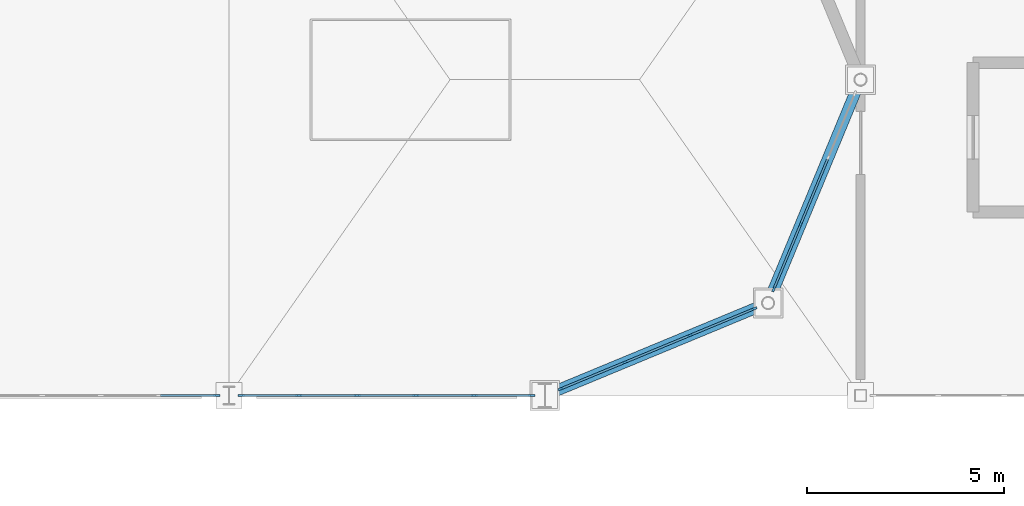
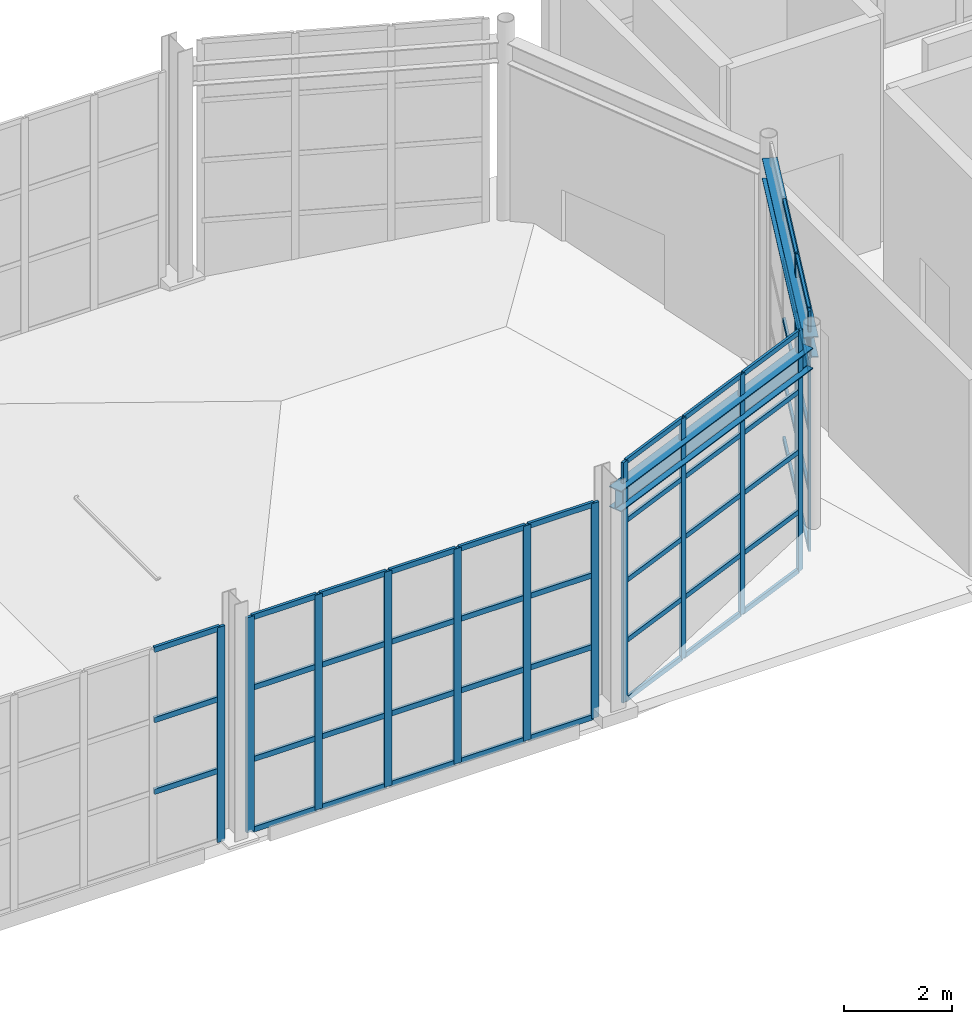
# One storey, part 42 of 82: 61 members, 2 beams, 4 elements without a shape of their own.
"""IFC4 building model written with IfcOpenShell, lengths in metres."""

from ifc_helpers import new_model, si_unit, direction, frame, origin, origin_2d, place, context, subcontext, project, spatial, rectangle, i_section, extrude, material, material_profile, profile_set, type_object, element, aggregate, save


model = new_model("IFC4")

# Units and contexts
model_context = context("Model", 3, precision=1e-05, world=origin(), true_north=direction((0.0, 1.0)))
body_context = subcontext(model_context, "Body", "Model", "MODEL_VIEW")
ifc_project = project(units=[si_unit("LENGTHUNIT", "METRE"), si_unit("AREAUNIT", "SQUARE_METRE"), si_unit("VOLUMEUNIT", "CUBIC_METRE"), si_unit("PLANEANGLEUNIT", "RADIAN"), si_unit("MASSUNIT", "GRAM", prefix="KILO")], contexts=[model_context])

# Site, building, storey
site_placement = place(None, origin())
site = spatial("IfcSite", under=ifc_project, at=site_placement, CompositionType="ELEMENT")
building_placement = place(site_placement, origin())
building = spatial("IfcBuilding", under=site, at=building_placement, Name="Serraluz Foothill Cableway Terminal", CompositionType="ELEMENT")
storey_placement = place(building_placement, frame((0.0, 0.0, 9.60009765625)))
storey = spatial("IfcBuildingStorey", under=building, at=storey_placement, Name="L02", CompositionType="ELEMENT", Elevation=9.60009765625)

# Curtain wall, members
ifc_material_1 = material(Name="Architectural bronze alloy C28000", Category="aluminium")
curtain_wall_type_1 = type_object("IfcCurtainWallType", Name="TYP-CW-440X360", PredefinedType="NOTDEFINED", material=ifc_material_1)
curtain_wall_1_placement = place(storey_placement, origin())
curtain_wall_1 = element("IfcCurtainWall", 1, at=curtain_wall_1_placement, inside=storey, type_object=curtain_wall_type_1, Name="Ribbed Glazed Curtain Wall CW-V1-E-L02-3", PredefinedType="NOTDEFINED")
ifc_material_2 = material(Name="Extruded aluminium 6063-T6", Category="aluminium")
ifc_material_profile_1 = material_profile(ifc_material_2, rectangle(XDim=0.054931640625, YDim=0.139892578125, at=origin_2d()), Name="ALU MULLION 55x140")
ifc_profile_set_1 = profile_set([ifc_material_profile_1], Name="Extruded aluminium 6063-T6")
member_type_1 = type_object("IfcMemberType", Name="TYP-CW-MUL-55X140", PredefinedType="MULLION", material=ifc_profile_set_1)
member_1_placement = place(storey_placement, frame((158.482666015625, 60.3369140625, 0.0), z_axis=(0.0, 0.0, 1.0), x_axis=(0.923878982655, -0.382684759834, 0.0)))
member_1 = element("IfcMember", 2, at=member_1_placement, type_object=member_type_1, Name="CW-16 mullion 3", PredefinedType="MULLION", context=body_context, shape_type="SweptSolid", body=[
    extrude(rectangle(XDim=0.054931640625, YDim=0.139892578125, at=origin_2d()), origin(), (0.0, 0.0, 1.0), 5.419921875),
])
member_2_placement = place(storey_placement, frame((157.802001953125, 58.693359375, 0.0), z_axis=(0.0, 0.0, 1.0), x_axis=(0.923878982655, -0.382684759834, 0.0)))
member_2 = element("IfcMember", 3, at=member_2_placement, type_object=member_type_1, Name="CW-16 mullion 4", PredefinedType="MULLION", context=body_context, shape_type="SweptSolid", body=[
    extrude(rectangle(XDim=0.054931640625, YDim=0.139892578125, at=origin_2d()), origin(), (0.0, 0.0, 1.0), 5.419921875),
])

curtain_wall_type_2 = type_object("IfcCurtainWallType", Name="TYP-CW-380X420", PredefinedType="NOTDEFINED", material=ifc_material_1)
curtain_wall_2_placement = place(storey_placement, origin())
curtain_wall_2 = element("IfcCurtainWall", 4, at=curtain_wall_2_placement, inside=storey, type_object=curtain_wall_type_2, Name="Ribbed Glazed Curtain Wall CW-V1-E-L02-4", PredefinedType="NOTDEFINED")
member_3_placement = place(storey_placement, frame((157.306640625, 58.197998046875, 0.0), z_axis=(0.0, 0.0, 1.0), x_axis=(0.382681674752, -0.923880260537, 0.0)))
member_3 = element("IfcMember", 5, at=member_3_placement, type_object=member_type_1, Name="CW-17 mullion 1", PredefinedType="MULLION", context=body_context, shape_type="SweptSolid", body=[
    extrude(rectangle(XDim=0.054931640625, YDim=0.139892578125, at=origin_2d()), origin(), (0.0, 0.0, 1.0), 5.419921875),
])
member_4_placement = place(storey_placement, frame((155.680419921875, 57.5244140625, 0.0), z_axis=(0.0, 0.0, 1.0), x_axis=(0.382681674752, -0.923880260537, 0.0)))
member_4 = element("IfcMember", 6, at=member_4_placement, type_object=member_type_1, Name="CW-17 mullion 2", PredefinedType="MULLION", context=body_context, shape_type="SweptSolid", body=[
    extrude(rectangle(XDim=0.054931640625, YDim=0.139892578125, at=origin_2d()), origin(), (0.0, 0.0, 1.0), 5.419921875),
])
member_5_placement = place(storey_placement, frame((154.028564453125, 56.84033203125, 0.0), z_axis=(0.0, 0.0, 1.0), x_axis=(0.382681674752, -0.923880260537, 0.0)))
member_5 = element("IfcMember", 7, at=member_5_placement, type_object=member_type_1, Name="CW-17 mullion 3", PredefinedType="MULLION", context=body_context, shape_type="SweptSolid", body=[
    extrude(rectangle(XDim=0.054931640625, YDim=0.139892578125, at=origin_2d()), origin(), (0.0, 0.0, 1.0), 5.419921875),
])
member_6_placement = place(storey_placement, frame((152.40234375, 56.16650390625, 0.0), z_axis=(0.0, 0.0, 1.0), x_axis=(0.382681674752, -0.923880260537, 0.0)))
member_6 = element("IfcMember", 8, at=member_6_placement, type_object=member_type_1, Name="CW-17 mullion 4", PredefinedType="MULLION", context=body_context, shape_type="SweptSolid", body=[
    extrude(rectangle(XDim=0.054931640625, YDim=0.139892578125, at=origin_2d()), origin(), (0.0, 0.0, 1.0), 5.419921875),
])

# Curtain wall, member
curtain_wall_type_3 = type_object("IfcCurtainWallType", Name="TYP-CW-360X380", PredefinedType="NOTDEFINED", material=ifc_material_1)
curtain_wall_3_placement = place(storey_placement, origin())
curtain_wall_3 = element("IfcCurtainWall", 9, at=curtain_wall_3_placement, inside=storey, type_object=curtain_wall_type_3, Name="Ribbed Glazed Curtain Wall CW-V1S-L02-136", PredefinedType="NOTDEFINED")
ifc_material_profile_2 = material_profile(ifc_material_1, rectangle(XDim=0.06005859375, YDim=0.159912109375, at=origin_2d()), Name="ALU MULLION 60x160")
ifc_profile_set_2 = profile_set([ifc_material_profile_2], Name="Architectural bronze alloy C28000")
member_type_2 = type_object("IfcMemberType", Name="TYP-CW-MUL-60X160", PredefinedType="MULLION", material=ifc_profile_set_2)
member_7_placement = place(storey_placement, frame((143.6884765625, 56.0, 0.0), z_axis=(0.0, 0.0, 1.0), x_axis=(0.0, -1.0, 0.0)))
member_7 = element("IfcMember", 10, at=member_7_placement, type_object=member_type_2, Name="CW-18 mullion 1", PredefinedType="MULLION", context=body_context, shape_type="SweptSolid", body=[
    extrude(rectangle(XDim=0.06005859375, YDim=0.159912109375, at=origin_2d()), origin(), (0.0, 0.0, 1.0), 4.849853515625),
])

# Curtain wall, members
curtain_wall_type_4 = type_object("IfcCurtainWallType", Name="TYP-CW-880X420", PredefinedType="NOTDEFINED", material=ifc_material_1)
curtain_wall_4_placement = place(storey_placement, origin())
curtain_wall_4 = element("IfcCurtainWall", 11, at=curtain_wall_4_placement, inside=storey, type_object=curtain_wall_type_4, Name="Ribbed Glazed Curtain Wall CW-V1S-L02-144", PredefinedType="NOTDEFINED")
member_8_placement = place(storey_placement, frame((151.66748046875, 56.0, 0.0), z_axis=(0.0, 0.0, 1.0), x_axis=(0.0, -1.0, 0.0)))
member_8 = element("IfcMember", 12, at=member_8_placement, type_object=member_type_2, Name="CW-19 mullion 1", PredefinedType="MULLION", context=body_context, shape_type="SweptSolid", body=[
    extrude(rectangle(XDim=0.06005859375, YDim=0.159912109375, at=origin_2d()), origin(), (0.0, 0.0, 1.0), 4.849853515625),
])
member_9_placement = place(storey_placement, frame((150.21435546875, 56.0, 0.0), z_axis=(0.0, 0.0, 1.0), x_axis=(0.0, -1.0, 0.0)))
member_9 = element("IfcMember", 13, at=member_9_placement, type_object=member_type_2, Name="CW-19 mullion 2", PredefinedType="MULLION", context=body_context, shape_type="SweptSolid", body=[
    extrude(rectangle(XDim=0.06005859375, YDim=0.159912109375, at=origin_2d()), origin(), (0.0, 0.0, 1.0), 4.849853515625),
])
member_10_placement = place(storey_placement, frame((148.731201171875, 56.0, 0.0), z_axis=(0.0, 0.0, 1.0), x_axis=(0.0, -1.0, 0.0)))
member_10 = element("IfcMember", 14, at=member_10_placement, type_object=member_type_2, Name="CW-19 mullion 3", PredefinedType="MULLION", context=body_context, shape_type="SweptSolid", body=[
    extrude(rectangle(XDim=0.06005859375, YDim=0.159912109375, at=origin_2d()), origin(), (0.0, 0.0, 1.0), 4.849853515625),
])
member_11_placement = place(storey_placement, frame((147.247802734375, 56.0, 0.0), z_axis=(0.0, 0.0, 1.0), x_axis=(0.0, -1.0, 0.0)))
member_11 = element("IfcMember", 15, at=member_11_placement, type_object=member_type_2, Name="CW-19 mullion 4", PredefinedType="MULLION", context=body_context, shape_type="SweptSolid", body=[
    extrude(rectangle(XDim=0.06005859375, YDim=0.159912109375, at=origin_2d()), origin(), (0.0, 0.0, 1.0), 4.849853515625),
])
member_12_placement = place(storey_placement, frame((145.7646484375, 56.0, 0.0), z_axis=(0.0, 0.0, 1.0), x_axis=(0.0, -1.0, 0.0)))
member_12 = element("IfcMember", 16, at=member_12_placement, type_object=member_type_2, Name="CW-19 mullion 5", PredefinedType="MULLION", context=body_context, shape_type="SweptSolid", body=[
    extrude(rectangle(XDim=0.06005859375, YDim=0.159912109375, at=origin_2d()), origin(), (0.0, 0.0, 1.0), 4.849853515625),
])
member_13_placement = place(storey_placement, frame((144.3115234375, 56.0, 0.0), z_axis=(0.0, 0.0, 1.0), x_axis=(0.0, -1.0, 0.0)))
member_13 = element("IfcMember", 17, at=member_13_placement, type_object=member_type_2, Name="CW-19 mullion 6", PredefinedType="MULLION", context=body_context, shape_type="SweptSolid", body=[
    extrude(rectangle(XDim=0.06005859375, YDim=0.159912109375, at=origin_2d()), origin(), (0.0, 0.0, 1.0), 4.849853515625),
])

# Member
ifc_material_profile_3 = material_profile(ifc_material_2, rectangle(XDim=0.054931640625, YDim=0.110107421875, at=origin_2d()), Name="ALU TRANSOM 55x110")
ifc_profile_set_3 = profile_set([ifc_material_profile_3], Name="Extruded aluminium 6063-T6")
member_type_3 = type_object("IfcMemberType", Name="TYP-CW-TRN-55X110", PredefinedType="USERDEFINED", material=ifc_profile_set_3)
member_14_placement = place(storey_placement, frame((159.16357421875, 61.980712890625, 0.02734375), z_axis=(-0.382585676577, -0.923920018226, 0.0), x_axis=(0.923920018226, -0.382585676577, 0.0)))
member_14 = element("IfcMember", 18, at=member_14_placement, type_object=member_type_3, Name="CW-16 transom 2.1", ObjectType="TRANSOM", PredefinedType="USERDEFINED", context=body_context, shape_type="SweptSolid", body=[
    extrude(rectangle(XDim=0.054931640625, YDim=0.110107421875, at=origin_2d()), origin(), (0.0, 0.0, 1.0), 1.751708984375),
])

member_15_placement = place(storey_placement, frame((159.16357421875, 61.980712890625, 1.35498046875), z_axis=(-0.382585676577, -0.923920018226, 0.0), x_axis=(0.923920018226, -0.382585676577, 0.0)))
member_15 = element("IfcMember", 19, at=member_15_placement, type_object=member_type_3, Name="CW-16 transom 2.2", ObjectType="TRANSOM", PredefinedType="USERDEFINED", context=body_context, shape_type="SweptSolid", body=[
    extrude(rectangle(XDim=0.054931640625, YDim=0.110107421875, at=origin_2d()), origin(), (0.0, 0.0, 1.0), 1.751708984375),
])

member_16_placement = place(storey_placement, frame((159.16357421875, 61.980712890625, 2.7099609375), z_axis=(-0.382585676577, -0.923920018226, 0.0), x_axis=(0.923920018226, -0.382585676577, 0.0)))
member_16 = element("IfcMember", 20, at=member_16_placement, type_object=member_type_3, Name="CW-16 transom 2.3", ObjectType="TRANSOM", PredefinedType="USERDEFINED", context=body_context, shape_type="SweptSolid", body=[
    extrude(rectangle(XDim=0.054931640625, YDim=0.110107421875, at=origin_2d()), origin(), (0.0, 0.0, 1.0), 1.751708984375),
])

member_17_placement = place(storey_placement, frame((159.16357421875, 61.980712890625, 4.06494140625), z_axis=(-0.382585676577, -0.923920018226, 0.0), x_axis=(0.923920018226, -0.382585676577, 0.0)))
member_17 = element("IfcMember", 21, at=member_17_placement, type_object=member_type_3, Name="CW-16 transom 2.4", ObjectType="TRANSOM", PredefinedType="USERDEFINED", context=body_context, shape_type="SweptSolid", body=[
    extrude(rectangle(XDim=0.054931640625, YDim=0.110107421875, at=origin_2d()), origin(), (0.0, 0.0, 1.0), 1.751708984375),
])

member_18_placement = place(storey_placement, frame((159.16357421875, 61.980712890625, 5.392333984375), z_axis=(-0.382585676577, -0.923920018226, 0.0), x_axis=(0.923920018226, -0.382585676577, 0.0)))
member_18 = element("IfcMember", 22, at=member_18_placement, type_object=member_type_3, Name="CW-16 transom 2.5", ObjectType="TRANSOM", PredefinedType="USERDEFINED", context=body_context, shape_type="SweptSolid", body=[
    extrude(rectangle(XDim=0.054931640625, YDim=0.110107421875, at=origin_2d()), origin(), (0.0, 0.0, 1.0), 1.751708984375),
])

member_19_placement = place(storey_placement, frame((158.47216796875, 60.3115234375, 0.02734375), z_axis=(-0.382643629872, -0.923896018239, 0.0), x_axis=(0.923896018239, -0.382643629872, 0.0)))
member_19 = element("IfcMember", 23, at=member_19_placement, type_object=member_type_3, Name="CW-16 transom 3.1", ObjectType="TRANSOM", PredefinedType="USERDEFINED", context=body_context, shape_type="SweptSolid", body=[
    extrude(rectangle(XDim=0.054931640625, YDim=0.110107421875, at=origin_2d()), origin(), (0.0, 0.0, 1.0), 1.723876953125),
])

member_20_placement = place(storey_placement, frame((158.47216796875, 60.3115234375, 1.35498046875), z_axis=(-0.382643629872, -0.923896018239, 0.0), x_axis=(0.923896018239, -0.382643629872, 0.0)))
member_20 = element("IfcMember", 24, at=member_20_placement, type_object=member_type_3, Name="CW-16 transom 3.2", ObjectType="TRANSOM", PredefinedType="USERDEFINED", context=body_context, shape_type="SweptSolid", body=[
    extrude(rectangle(XDim=0.054931640625, YDim=0.110107421875, at=origin_2d()), origin(), (0.0, 0.0, 1.0), 1.723876953125),
])

member_21_placement = place(storey_placement, frame((158.47216796875, 60.3115234375, 2.7099609375), z_axis=(-0.382643629872, -0.923896018239, 0.0), x_axis=(0.923896018239, -0.382643629872, 0.0)))
member_21 = element("IfcMember", 25, at=member_21_placement, type_object=member_type_3, Name="CW-16 transom 3.3", ObjectType="TRANSOM", PredefinedType="USERDEFINED", context=body_context, shape_type="SweptSolid", body=[
    extrude(rectangle(XDim=0.054931640625, YDim=0.110107421875, at=origin_2d()), origin(), (0.0, 0.0, 1.0), 1.723876953125),
])

member_22_placement = place(storey_placement, frame((158.47216796875, 60.3115234375, 4.06494140625), z_axis=(-0.382643629872, -0.923896018239, 0.0), x_axis=(0.923896018239, -0.382643629872, 0.0)))
member_22 = element("IfcMember", 26, at=member_22_placement, type_object=member_type_3, Name="CW-16 transom 3.4", ObjectType="TRANSOM", PredefinedType="USERDEFINED", context=body_context, shape_type="SweptSolid", body=[
    extrude(rectangle(XDim=0.054931640625, YDim=0.110107421875, at=origin_2d()), origin(), (0.0, 0.0, 1.0), 1.723876953125),
])

member_23_placement = place(storey_placement, frame((158.47216796875, 60.3115234375, 5.392333984375), z_axis=(-0.382643629872, -0.923896018239, 0.0), x_axis=(0.923896018239, -0.382643629872, 0.0)))
member_23 = element("IfcMember", 27, at=member_23_placement, type_object=member_type_3, Name="CW-16 transom 3.5", ObjectType="TRANSOM", PredefinedType="USERDEFINED", context=body_context, shape_type="SweptSolid", body=[
    extrude(rectangle(XDim=0.054931640625, YDim=0.110107421875, at=origin_2d()), origin(), (0.0, 0.0, 1.0), 1.723876953125),
])

aggregate(curtain_wall_1, [member_1, member_2, member_14, member_15, member_16, member_17, member_18, member_19, member_20, member_21, member_22, member_23])

member_24_placement = place(storey_placement, frame((157.28125, 58.1875, 0.02734375), z_axis=(-0.923875488976, -0.382693194178, 0.0), x_axis=(0.382693194178, -0.923875488976, 0.0)))
member_24 = element("IfcMember", 28, at=member_24_placement, type_object=member_type_3, Name="CW-17 transom 1.1", ObjectType="TRANSOM", PredefinedType="USERDEFINED", context=body_context, shape_type="SweptSolid", body=[
    extrude(rectangle(XDim=0.054931640625, YDim=0.110107421875, at=origin_2d()), origin(), (0.0, 0.0, 1.0), 1.705322265625),
])

member_25_placement = place(storey_placement, frame((157.28125, 58.1875, 1.35498046875), z_axis=(-0.923875488976, -0.382693194178, 0.0), x_axis=(0.382693194178, -0.923875488976, 0.0)))
member_25 = element("IfcMember", 29, at=member_25_placement, type_object=member_type_3, Name="CW-17 transom 1.2", ObjectType="TRANSOM", PredefinedType="USERDEFINED", context=body_context, shape_type="SweptSolid", body=[
    extrude(rectangle(XDim=0.054931640625, YDim=0.110107421875, at=origin_2d()), origin(), (0.0, 0.0, 1.0), 1.705322265625),
])

member_26_placement = place(storey_placement, frame((157.28125, 58.1875, 2.7099609375), z_axis=(-0.923875488976, -0.382693194178, 0.0), x_axis=(0.382693194178, -0.923875488976, 0.0)))
member_26 = element("IfcMember", 30, at=member_26_placement, type_object=member_type_3, Name="CW-17 transom 1.3", ObjectType="TRANSOM", PredefinedType="USERDEFINED", context=body_context, shape_type="SweptSolid", body=[
    extrude(rectangle(XDim=0.054931640625, YDim=0.110107421875, at=origin_2d()), origin(), (0.0, 0.0, 1.0), 1.705322265625),
])

member_27_placement = place(storey_placement, frame((157.28125, 58.1875, 4.06494140625), z_axis=(-0.923875488976, -0.382693194178, 0.0), x_axis=(0.382693194178, -0.923875488976, 0.0)))
member_27 = element("IfcMember", 31, at=member_27_placement, type_object=member_type_3, Name="CW-17 transom 1.4", ObjectType="TRANSOM", PredefinedType="USERDEFINED", context=body_context, shape_type="SweptSolid", body=[
    extrude(rectangle(XDim=0.054931640625, YDim=0.110107421875, at=origin_2d()), origin(), (0.0, 0.0, 1.0), 1.705322265625),
])

member_28_placement = place(storey_placement, frame((157.28125, 58.1875, 5.392333984375), z_axis=(-0.923875488976, -0.382693194178, 0.0), x_axis=(0.382693194178, -0.923875488976, 0.0)))
member_28 = element("IfcMember", 32, at=member_28_placement, type_object=member_type_3, Name="CW-17 transom 1.5", ObjectType="TRANSOM", PredefinedType="USERDEFINED", context=body_context, shape_type="SweptSolid", body=[
    extrude(rectangle(XDim=0.054931640625, YDim=0.110107421875, at=origin_2d()), origin(), (0.0, 0.0, 1.0), 1.705322265625),
])

member_29_placement = place(storey_placement, frame((155.655029296875, 57.513916015625, 0.02734375), z_axis=(-0.923900079523, -0.382633823724, 0.0), x_axis=(0.382633823724, -0.923900079523, 0.0)))
member_29 = element("IfcMember", 33, at=member_29_placement, type_object=member_type_3, Name="CW-17 transom 2.1", ObjectType="TRANSOM", PredefinedType="USERDEFINED", context=body_context, shape_type="SweptSolid", body=[
    extrude(rectangle(XDim=0.054931640625, YDim=0.110107421875, at=origin_2d()), origin(), (0.0, 0.0, 1.0), 1.73291015625),
])

member_30_placement = place(storey_placement, frame((155.655029296875, 57.513916015625, 1.35498046875), z_axis=(-0.923900079523, -0.382633823724, 0.0), x_axis=(0.382633823724, -0.923900079523, 0.0)))
member_30 = element("IfcMember", 34, at=member_30_placement, type_object=member_type_3, Name="CW-17 transom 2.2", ObjectType="TRANSOM", PredefinedType="USERDEFINED", context=body_context, shape_type="SweptSolid", body=[
    extrude(rectangle(XDim=0.054931640625, YDim=0.110107421875, at=origin_2d()), origin(), (0.0, 0.0, 1.0), 1.73291015625),
])

member_31_placement = place(storey_placement, frame((155.655029296875, 57.513916015625, 2.7099609375), z_axis=(-0.923900079523, -0.382633823724, 0.0), x_axis=(0.382633823724, -0.923900079523, 0.0)))
member_31 = element("IfcMember", 35, at=member_31_placement, type_object=member_type_3, Name="CW-17 transom 2.3", ObjectType="TRANSOM", PredefinedType="USERDEFINED", context=body_context, shape_type="SweptSolid", body=[
    extrude(rectangle(XDim=0.054931640625, YDim=0.110107421875, at=origin_2d()), origin(), (0.0, 0.0, 1.0), 1.73291015625),
])

member_32_placement = place(storey_placement, frame((155.655029296875, 57.513916015625, 4.06494140625), z_axis=(-0.923900079523, -0.382633823724, 0.0), x_axis=(0.382633823724, -0.923900079523, 0.0)))
member_32 = element("IfcMember", 36, at=member_32_placement, type_object=member_type_3, Name="CW-17 transom 2.4", ObjectType="TRANSOM", PredefinedType="USERDEFINED", context=body_context, shape_type="SweptSolid", body=[
    extrude(rectangle(XDim=0.054931640625, YDim=0.110107421875, at=origin_2d()), origin(), (0.0, 0.0, 1.0), 1.73291015625),
])

member_33_placement = place(storey_placement, frame((155.655029296875, 57.513916015625, 5.392333984375), z_axis=(-0.923900079523, -0.382633823724, 0.0), x_axis=(0.382633823724, -0.923900079523, 0.0)))
member_33 = element("IfcMember", 37, at=member_33_placement, type_object=member_type_3, Name="CW-17 transom 2.5", ObjectType="TRANSOM", PredefinedType="USERDEFINED", context=body_context, shape_type="SweptSolid", body=[
    extrude(rectangle(XDim=0.054931640625, YDim=0.110107421875, at=origin_2d()), origin(), (0.0, 0.0, 1.0), 1.73291015625),
])

member_34_placement = place(storey_placement, frame((154.003173828125, 56.829833984375, 0.02734375), z_axis=(-0.923875488976, -0.382693194178, 0.0), x_axis=(0.382693194178, -0.923875488976, 0.0)))
member_34 = element("IfcMember", 38, at=member_34_placement, type_object=member_type_3, Name="CW-17 transom 3.1", ObjectType="TRANSOM", PredefinedType="USERDEFINED", context=body_context, shape_type="SweptSolid", body=[
    extrude(rectangle(XDim=0.054931640625, YDim=0.110107421875, at=origin_2d()), origin(), (0.0, 0.0, 1.0), 1.705322265625),
])

member_35_placement = place(storey_placement, frame((154.003173828125, 56.829833984375, 1.35498046875), z_axis=(-0.923875488976, -0.382693194178, 0.0), x_axis=(0.382693194178, -0.923875488976, 0.0)))
member_35 = element("IfcMember", 39, at=member_35_placement, type_object=member_type_3, Name="CW-17 transom 3.2", ObjectType="TRANSOM", PredefinedType="USERDEFINED", context=body_context, shape_type="SweptSolid", body=[
    extrude(rectangle(XDim=0.054931640625, YDim=0.110107421875, at=origin_2d()), origin(), (0.0, 0.0, 1.0), 1.705322265625),
])

member_36_placement = place(storey_placement, frame((154.003173828125, 56.829833984375, 2.7099609375), z_axis=(-0.923875488976, -0.382693194178, 0.0), x_axis=(0.382693194178, -0.923875488976, 0.0)))
member_36 = element("IfcMember", 40, at=member_36_placement, type_object=member_type_3, Name="CW-17 transom 3.3", ObjectType="TRANSOM", PredefinedType="USERDEFINED", context=body_context, shape_type="SweptSolid", body=[
    extrude(rectangle(XDim=0.054931640625, YDim=0.110107421875, at=origin_2d()), origin(), (0.0, 0.0, 1.0), 1.705322265625),
])

member_37_placement = place(storey_placement, frame((154.003173828125, 56.829833984375, 4.06494140625), z_axis=(-0.923875488976, -0.382693194178, 0.0), x_axis=(0.382693194178, -0.923875488976, 0.0)))
member_37 = element("IfcMember", 41, at=member_37_placement, type_object=member_type_3, Name="CW-17 transom 3.4", ObjectType="TRANSOM", PredefinedType="USERDEFINED", context=body_context, shape_type="SweptSolid", body=[
    extrude(rectangle(XDim=0.054931640625, YDim=0.110107421875, at=origin_2d()), origin(), (0.0, 0.0, 1.0), 1.705322265625),
])

member_38_placement = place(storey_placement, frame((154.003173828125, 56.829833984375, 5.392333984375), z_axis=(-0.923875488976, -0.382693194178, 0.0), x_axis=(0.382693194178, -0.923875488976, 0.0)))
member_38 = element("IfcMember", 42, at=member_38_placement, type_object=member_type_3, Name="CW-17 transom 3.5", ObjectType="TRANSOM", PredefinedType="USERDEFINED", context=body_context, shape_type="SweptSolid", body=[
    extrude(rectangle(XDim=0.054931640625, YDim=0.110107421875, at=origin_2d()), origin(), (0.0, 0.0, 1.0), 1.705322265625),
])

aggregate(curtain_wall_2, [member_3, member_4, member_5, member_6, member_24, member_25, member_26, member_27, member_28, member_29, member_30, member_31, member_32, member_33, member_34, member_35, member_36, member_37, member_38])

ifc_material_profile_4 = material_profile(ifc_material_1, rectangle(XDim=0.06005859375, YDim=0.1201171875, at=origin_2d()), Name="ALU TRANSOM 60x120")
ifc_profile_set_4 = profile_set([ifc_material_profile_4], Name="Architectural bronze alloy C28000")
member_type_4 = type_object("IfcMemberType", Name="TYP-CW-TRN-60X120", PredefinedType="USERDEFINED", material=ifc_profile_set_4)
member_39_placement = place(storey_placement, frame((143.658447265625, 56.0, 1.61669921875), z_axis=(-1.0, 0.0, 0.0), x_axis=(0.0, -1.0, 0.0)))
member_39 = element("IfcMember", 43, at=member_39_placement, type_object=member_type_4, Name="CW-18 transom 1.2", ObjectType="TRANSOM", PredefinedType="USERDEFINED", context=body_context, shape_type="SweptSolid", body=[
    extrude(rectangle(XDim=0.06005859375, YDim=0.1201171875, at=origin_2d()), origin(), (0.0, 0.0, 1.0), 1.39306640625),
])

member_40_placement = place(storey_placement, frame((143.658447265625, 56.0, 3.233154296875), z_axis=(-1.0, 0.0, 0.0), x_axis=(0.0, -1.0, 0.0)))
member_40 = element("IfcMember", 44, at=member_40_placement, type_object=member_type_4, Name="CW-18 transom 1.3", ObjectType="TRANSOM", PredefinedType="USERDEFINED", context=body_context, shape_type="SweptSolid", body=[
    extrude(rectangle(XDim=0.06005859375, YDim=0.1201171875, at=origin_2d()), origin(), (0.0, 0.0, 1.0), 1.39306640625),
])

member_41_placement = place(storey_placement, frame((143.658447265625, 56.0, 4.81982421875), z_axis=(-1.0, 0.0, 0.0), x_axis=(0.0, -1.0, 0.0)))
member_41 = element("IfcMember", 45, at=member_41_placement, type_object=member_type_4, Name="CW-18 transom 1.4", ObjectType="TRANSOM", PredefinedType="USERDEFINED", context=body_context, shape_type="SweptSolid", body=[
    extrude(rectangle(XDim=0.06005859375, YDim=0.1201171875, at=origin_2d()), origin(), (0.0, 0.0, 1.0), 1.39306640625),
])

aggregate(curtain_wall_3, [member_7, member_39, member_40, member_41])

member_42_placement = place(storey_placement, frame((151.637451171875, 56.0, 0.02978515625), z_axis=(-1.0, 0.0, 0.0), x_axis=(0.0, -1.0, 0.0)))
member_42 = element("IfcMember", 46, at=member_42_placement, type_object=member_type_4, Name="CW-19 transom 1.1", ObjectType="TRANSOM", PredefinedType="USERDEFINED", context=body_context, shape_type="SweptSolid", body=[
    extrude(rectangle(XDim=0.06005859375, YDim=0.1201171875, at=origin_2d()), origin(), (0.0, 0.0, 1.0), 1.39306640625),
])

member_43_placement = place(storey_placement, frame((151.637451171875, 56.0, 1.61669921875), z_axis=(-1.0, 0.0, 0.0), x_axis=(0.0, -1.0, 0.0)))
member_43 = element("IfcMember", 47, at=member_43_placement, type_object=member_type_4, Name="CW-19 transom 1.2", ObjectType="TRANSOM", PredefinedType="USERDEFINED", context=body_context, shape_type="SweptSolid", body=[
    extrude(rectangle(XDim=0.06005859375, YDim=0.1201171875, at=origin_2d()), origin(), (0.0, 0.0, 1.0), 1.39306640625),
])

member_44_placement = place(storey_placement, frame((151.637451171875, 56.0, 3.233154296875), z_axis=(-1.0, 0.0, 0.0), x_axis=(0.0, -1.0, 0.0)))
member_44 = element("IfcMember", 48, at=member_44_placement, type_object=member_type_4, Name="CW-19 transom 1.3", ObjectType="TRANSOM", PredefinedType="USERDEFINED", context=body_context, shape_type="SweptSolid", body=[
    extrude(rectangle(XDim=0.06005859375, YDim=0.1201171875, at=origin_2d()), origin(), (0.0, 0.0, 1.0), 1.39306640625),
])

member_45_placement = place(storey_placement, frame((151.637451171875, 56.0, 4.81982421875), z_axis=(-1.0, 0.0, 0.0), x_axis=(0.0, -1.0, 0.0)))
member_45 = element("IfcMember", 49, at=member_45_placement, type_object=member_type_4, Name="CW-19 transom 1.4", ObjectType="TRANSOM", PredefinedType="USERDEFINED", context=body_context, shape_type="SweptSolid", body=[
    extrude(rectangle(XDim=0.06005859375, YDim=0.1201171875, at=origin_2d()), origin(), (0.0, 0.0, 1.0), 1.39306640625),
])

member_46_placement = place(storey_placement, frame((150.184326171875, 56.0, 0.02978515625), z_axis=(-1.0, 0.0, 0.0), x_axis=(0.0, -1.0, 0.0)))
member_46 = element("IfcMember", 50, at=member_46_placement, type_object=member_type_4, Name="CW-19 transom 2.1", ObjectType="TRANSOM", PredefinedType="USERDEFINED", context=body_context, shape_type="SweptSolid", body=[
    extrude(rectangle(XDim=0.06005859375, YDim=0.1201171875, at=origin_2d()), origin(), (0.0, 0.0, 1.0), 1.42333984375),
])

member_47_placement = place(storey_placement, frame((150.184326171875, 56.0, 1.61669921875), z_axis=(-1.0, 0.0, 0.0), x_axis=(0.0, -1.0, 0.0)))
member_47 = element("IfcMember", 51, at=member_47_placement, type_object=member_type_4, Name="CW-19 transom 2.2", ObjectType="TRANSOM", PredefinedType="USERDEFINED", context=body_context, shape_type="SweptSolid", body=[
    extrude(rectangle(XDim=0.06005859375, YDim=0.1201171875, at=origin_2d()), origin(), (0.0, 0.0, 1.0), 1.42333984375),
])

member_48_placement = place(storey_placement, frame((150.184326171875, 56.0, 3.233154296875), z_axis=(-1.0, 0.0, 0.0), x_axis=(0.0, -1.0, 0.0)))
member_48 = element("IfcMember", 52, at=member_48_placement, type_object=member_type_4, Name="CW-19 transom 2.3", ObjectType="TRANSOM", PredefinedType="USERDEFINED", context=body_context, shape_type="SweptSolid", body=[
    extrude(rectangle(XDim=0.06005859375, YDim=0.1201171875, at=origin_2d()), origin(), (0.0, 0.0, 1.0), 1.42333984375),
])

member_49_placement = place(storey_placement, frame((150.184326171875, 56.0, 4.81982421875), z_axis=(-1.0, 0.0, 0.0), x_axis=(0.0, -1.0, 0.0)))
member_49 = element("IfcMember", 53, at=member_49_placement, type_object=member_type_4, Name="CW-19 transom 2.4", ObjectType="TRANSOM", PredefinedType="USERDEFINED", context=body_context, shape_type="SweptSolid", body=[
    extrude(rectangle(XDim=0.06005859375, YDim=0.1201171875, at=origin_2d()), origin(), (0.0, 0.0, 1.0), 1.42333984375),
])

member_50_placement = place(storey_placement, frame((148.701171875, 56.0, 0.02978515625), z_axis=(-1.0, 0.0, 0.0), x_axis=(0.0, -1.0, 0.0)))
member_50 = element("IfcMember", 54, at=member_50_placement, type_object=member_type_4, Name="CW-19 transom 3.1", ObjectType="TRANSOM", PredefinedType="USERDEFINED", context=body_context, shape_type="SweptSolid", body=[
    extrude(rectangle(XDim=0.06005859375, YDim=0.1201171875, at=origin_2d()), origin(), (0.0, 0.0, 1.0), 1.42333984375),
])

member_51_placement = place(storey_placement, frame((148.701171875, 56.0, 1.61669921875), z_axis=(-1.0, 0.0, 0.0), x_axis=(0.0, -1.0, 0.0)))
member_51 = element("IfcMember", 55, at=member_51_placement, type_object=member_type_4, Name="CW-19 transom 3.2", ObjectType="TRANSOM", PredefinedType="USERDEFINED", context=body_context, shape_type="SweptSolid", body=[
    extrude(rectangle(XDim=0.06005859375, YDim=0.1201171875, at=origin_2d()), origin(), (0.0, 0.0, 1.0), 1.42333984375),
])

member_52_placement = place(storey_placement, frame((148.701171875, 56.0, 3.233154296875), z_axis=(-1.0, 0.0, 0.0), x_axis=(0.0, -1.0, 0.0)))
member_52 = element("IfcMember", 56, at=member_52_placement, type_object=member_type_4, Name="CW-19 transom 3.3", ObjectType="TRANSOM", PredefinedType="USERDEFINED", context=body_context, shape_type="SweptSolid", body=[
    extrude(rectangle(XDim=0.06005859375, YDim=0.1201171875, at=origin_2d()), origin(), (0.0, 0.0, 1.0), 1.42333984375),
])

member_53_placement = place(storey_placement, frame((148.701171875, 56.0, 4.81982421875), z_axis=(-1.0, 0.0, 0.0), x_axis=(0.0, -1.0, 0.0)))
member_53 = element("IfcMember", 57, at=member_53_placement, type_object=member_type_4, Name="CW-19 transom 3.4", ObjectType="TRANSOM", PredefinedType="USERDEFINED", context=body_context, shape_type="SweptSolid", body=[
    extrude(rectangle(XDim=0.06005859375, YDim=0.1201171875, at=origin_2d()), origin(), (0.0, 0.0, 1.0), 1.42333984375),
])

member_54_placement = place(storey_placement, frame((147.218017578125, 56.0, 0.02978515625), z_axis=(-1.0, 0.0, 0.0), x_axis=(0.0, -1.0, 0.0)))
member_54 = element("IfcMember", 58, at=member_54_placement, type_object=member_type_4, Name="CW-19 transom 4.1", ObjectType="TRANSOM", PredefinedType="USERDEFINED", context=body_context, shape_type="SweptSolid", body=[
    extrude(rectangle(XDim=0.06005859375, YDim=0.1201171875, at=origin_2d()), origin(), (0.0, 0.0, 1.0), 1.42333984375),
])

member_55_placement = place(storey_placement, frame((147.218017578125, 56.0, 1.61669921875), z_axis=(-1.0, 0.0, 0.0), x_axis=(0.0, -1.0, 0.0)))
member_55 = element("IfcMember", 59, at=member_55_placement, type_object=member_type_4, Name="CW-19 transom 4.2", ObjectType="TRANSOM", PredefinedType="USERDEFINED", context=body_context, shape_type="SweptSolid", body=[
    extrude(rectangle(XDim=0.06005859375, YDim=0.1201171875, at=origin_2d()), origin(), (0.0, 0.0, 1.0), 1.42333984375),
])

member_56_placement = place(storey_placement, frame((147.218017578125, 56.0, 3.233154296875), z_axis=(-1.0, 0.0, 0.0), x_axis=(0.0, -1.0, 0.0)))
member_56 = element("IfcMember", 60, at=member_56_placement, type_object=member_type_4, Name="CW-19 transom 4.3", ObjectType="TRANSOM", PredefinedType="USERDEFINED", context=body_context, shape_type="SweptSolid", body=[
    extrude(rectangle(XDim=0.06005859375, YDim=0.1201171875, at=origin_2d()), origin(), (0.0, 0.0, 1.0), 1.42333984375),
])

member_57_placement = place(storey_placement, frame((147.218017578125, 56.0, 4.81982421875), z_axis=(-1.0, 0.0, 0.0), x_axis=(0.0, -1.0, 0.0)))
member_57 = element("IfcMember", 61, at=member_57_placement, type_object=member_type_4, Name="CW-19 transom 4.4", ObjectType="TRANSOM", PredefinedType="USERDEFINED", context=body_context, shape_type="SweptSolid", body=[
    extrude(rectangle(XDim=0.06005859375, YDim=0.1201171875, at=origin_2d()), origin(), (0.0, 0.0, 1.0), 1.42333984375),
])

member_58_placement = place(storey_placement, frame((145.734619140625, 56.0, 0.02978515625), z_axis=(-1.0, 0.0, 0.0), x_axis=(0.0, -1.0, 0.0)))
member_58 = element("IfcMember", 62, at=member_58_placement, type_object=member_type_4, Name="CW-19 transom 5.1", ObjectType="TRANSOM", PredefinedType="USERDEFINED", context=body_context, shape_type="SweptSolid", body=[
    extrude(rectangle(XDim=0.06005859375, YDim=0.1201171875, at=origin_2d()), origin(), (0.0, 0.0, 1.0), 1.39306640625),
])

member_59_placement = place(storey_placement, frame((145.734619140625, 56.0, 1.61669921875), z_axis=(-1.0, 0.0, 0.0), x_axis=(0.0, -1.0, 0.0)))
member_59 = element("IfcMember", 63, at=member_59_placement, type_object=member_type_4, Name="CW-19 transom 5.2", ObjectType="TRANSOM", PredefinedType="USERDEFINED", context=body_context, shape_type="SweptSolid", body=[
    extrude(rectangle(XDim=0.06005859375, YDim=0.1201171875, at=origin_2d()), origin(), (0.0, 0.0, 1.0), 1.39306640625),
])

member_60_placement = place(storey_placement, frame((145.734619140625, 56.0, 3.233154296875), z_axis=(-1.0, 0.0, 0.0), x_axis=(0.0, -1.0, 0.0)))
member_60 = element("IfcMember", 64, at=member_60_placement, type_object=member_type_4, Name="CW-19 transom 5.3", ObjectType="TRANSOM", PredefinedType="USERDEFINED", context=body_context, shape_type="SweptSolid", body=[
    extrude(rectangle(XDim=0.06005859375, YDim=0.1201171875, at=origin_2d()), origin(), (0.0, 0.0, 1.0), 1.39306640625),
])

member_61_placement = place(storey_placement, frame((145.734619140625, 56.0, 4.81982421875), z_axis=(-1.0, 0.0, 0.0), x_axis=(0.0, -1.0, 0.0)))
member_61 = element("IfcMember", 65, at=member_61_placement, type_object=member_type_4, Name="CW-19 transom 5.4", ObjectType="TRANSOM", PredefinedType="USERDEFINED", context=body_context, shape_type="SweptSolid", body=[
    extrude(rectangle(XDim=0.06005859375, YDim=0.1201171875, at=origin_2d()), origin(), (0.0, 0.0, 1.0), 1.39306640625),
])

aggregate(curtain_wall_4, [member_8, member_9, member_10, member_11, member_12, member_13, member_42, member_43, member_44, member_45, member_46, member_47, member_48, member_49, member_50, member_51, member_52, member_53, member_54, member_55, member_56, member_57, member_58, member_59, member_60, member_61])

# Beams
ifc_material_3 = material(Name="Steel ASTM A992 Grade 50", Category="steel")
ifc_material_profile_5 = material_profile(ifc_material_3, i_section(OverallWidth=0.282958984375, OverallDepth=0.471923828125, WebThickness=0.013671875, FlangeThickness=0.022216796875, FilletRadius=0.014892578125, at=origin_2d()), Name="W18X97")
ifc_profile_set_5 = profile_set([ifc_material_profile_5], Name="Steel ASTM A992 Grade 50")
beam_type = type_object("IfcBeamType", Name="TYP-SP-W18X97", PredefinedType="SPANDREL", material=ifc_profile_set_5)
for number, where, z_axis, x_axis, name in (
    (66, (152.138671875, 56.057373046875, 4.7138671875), (0.923882435674, 0.382676423435, 0.0), (-0.382676423435, 0.923882435674, 0.0), "Curved End Ring Beam E-L02-1"),
    (67, (157.71435546875, 58.481689453125, 4.7138671875), (0.382676423435, 0.923882435674, 0.0), (-0.923882435674, 0.382676423435, 0.0), "Curved End Ring Beam E-L02-2"),
):
    element("IfcBeam", number, at=place(storey_placement, frame(where, z_axis=z_axis, x_axis=x_axis)), inside=storey, type_object=beam_type, Name=name, PredefinedType="SPANDREL", context=body_context, shape_type="SweptSolid", body=[
        extrude(i_section(OverallWidth=0.282958984375, OverallDepth=0.471923828125, WebThickness=0.013671875, FlangeThickness=0.022216796875, FilletRadius=0.014892578125, at=origin_2d()), origin(), (0.0, 0.0, 1.0), 5.82275390625),
    ])

save(model, "model.ifc")
